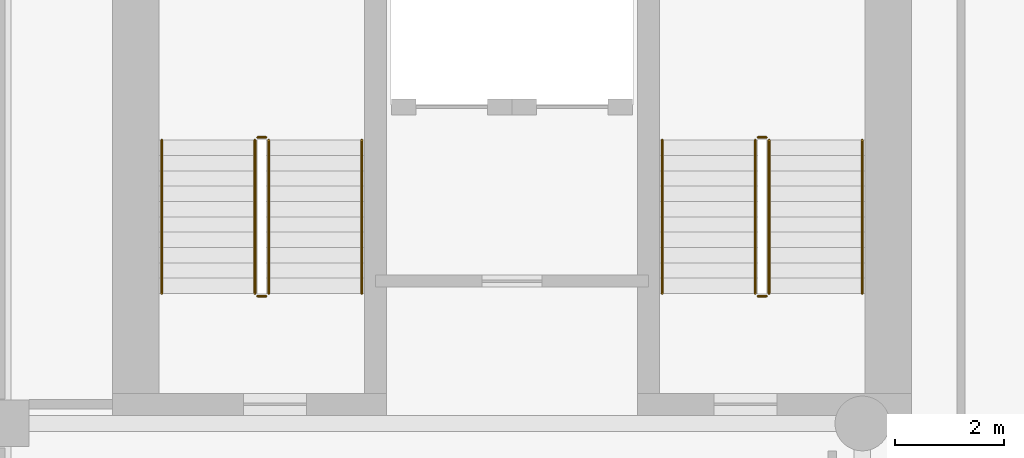
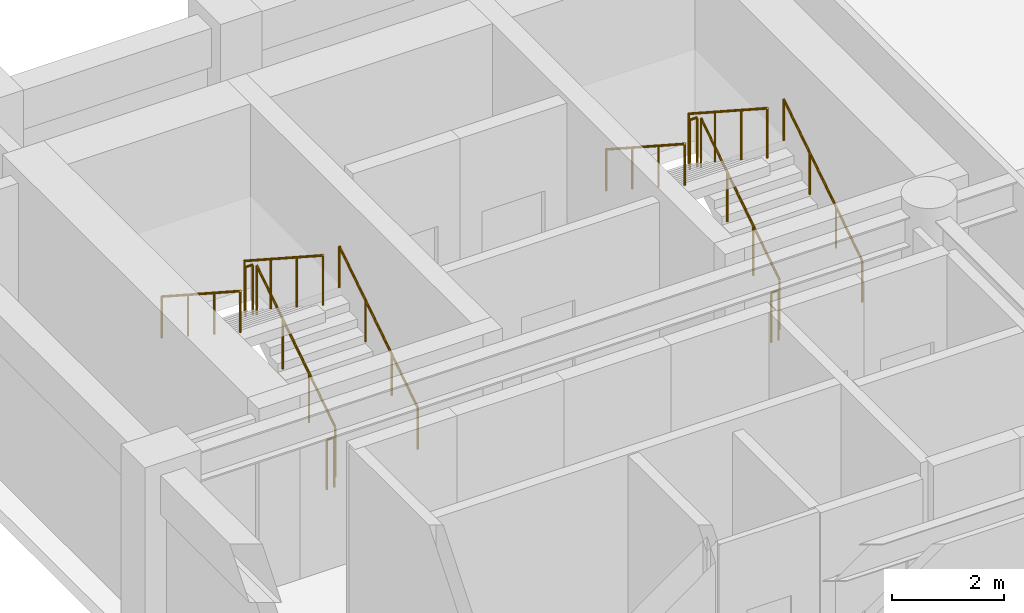
# One storey, part 7 of 8: 12 railings.
"""IFC4 building model written with IfcOpenShell, lengths in metres."""

from ifc_helpers import new_model, si_unit, direction, frame, origin, origin_2d, place, context, subcontext, project, spatial, circle, extrude, material, type_object, element, save


model = new_model("IFC4")

# Units and contexts
model_context = context("Model", 3, precision=1e-05, world=origin(), true_north=direction((0.0, 1.0)))
body_context = subcontext(model_context, "Body", "Model", "MODEL_VIEW")
ifc_project = project(units=[si_unit("LENGTHUNIT", "METRE"), si_unit("AREAUNIT", "SQUARE_METRE"), si_unit("VOLUMEUNIT", "CUBIC_METRE"), si_unit("PLANEANGLEUNIT", "RADIAN"), si_unit("MASSUNIT", "GRAM", prefix="KILO")], contexts=[model_context])

# Site, building, storey
site_placement = place(None, origin())
site = spatial("IfcSite", under=ifc_project, at=site_placement, CompositionType="ELEMENT")
building_placement = place(site_placement, origin())
building = spatial("IfcBuilding", under=site, at=building_placement, Name="Sulina Concourse Tower", CompositionType="ELEMENT")
storey_placement = place(building_placement, frame((0.0, 0.0, 104.60009765625)))
storey = spatial("IfcBuildingStorey", under=building, at=storey_placement, Name="L25", CompositionType="ELEMENT", Elevation=104.60009765625)

# Railings
ifc_material_1 = material(Name="Galvanised steel railing", Category="steel")
railing_type_1 = type_object("IfcRailingType", Name="Core Stair Steel Guardrail 1150mm", PredefinedType="GUARDRAIL", material=ifc_material_1)
railing_1_placement = place(storey_placement, frame((5.554931640625, 36.375, 0.181640625)))
element("IfcRailing", 1, at=railing_1_placement, inside=storey, type_object=railing_type_1, Name="L25 ST-1 stair guard 1", PredefinedType="GUARDRAIL", context=body_context, shape_type="SweptSolid", body=[
    extrude(circle(Radius=0.02392578125, at=origin_2d()), frame((0.0, 0.0, 1.076171875), z_axis=(0.0, 0.838672427954, 0.544636170843), x_axis=(-1.0, 0.0, 0.0)), (0.0, 0.0, 1.0), 3.338623046875),
    extrude(circle(Radius=0.02099609375, at=origin_2d()), origin(), (0.0, 0.0, 1.0), 1.052001953125),
    extrude(circle(Radius=0.02099609375, at=origin_2d()), frame((0.0, 0.933349609375, 0.606201171875)), (0.0, 0.0, 1.0), 1.052001953125),
    extrude(circle(Radius=0.02099609375, at=origin_2d()), frame((0.0, 1.86669921875, 1.212158203125)), (0.0, 0.0, 1.0), 1.052001953125),
    extrude(circle(Radius=0.02099609375, at=origin_2d()), frame((0.0, 2.800048828125, 1.818359375)), (0.0, 0.0, 1.0), 1.052001953125),
])
railing_2_placement = place(storey_placement, frame((5.5048828125, 39.22509765625, 2.0)))
element("IfcRailing", 2, at=railing_2_placement, inside=storey, type_object=railing_type_1, Name="L25 ST-1 stair guard 2", PredefinedType="GUARDRAIL", context=body_context, shape_type="SweptSolid", body=[
    extrude(circle(Radius=0.02392578125, at=origin_2d()), frame((0.0, 0.0, 1.076171875), z_axis=(-1.0, 0.0, 0.0), x_axis=(0.0, -1.0, 0.0)), (0.0, 0.0, 1.0), 0.14990234375),
    extrude(circle(Radius=0.02099609375, at=origin_2d()), origin(), (0.0, 0.0, 1.0), 1.052001953125),
    extrude(circle(Radius=0.02099609375, at=origin_2d()), frame((-0.14990234375, 0.0, 0.0)), (0.0, 0.0, 1.0), 1.052001953125),
])
railing_3_placement = place(storey_placement, frame((5.304931640625, 39.175048828125, 2.181640625)))
element("IfcRailing", 3, at=railing_3_placement, inside=storey, type_object=railing_type_1, Name="L25 ST-1 stair guard 3", PredefinedType="GUARDRAIL", context=body_context, shape_type="SweptSolid", body=[
    extrude(circle(Radius=0.02392578125, at=origin_2d()), frame((0.0, 0.0, 1.076171875), z_axis=(0.0, -0.838672427954, 0.544636170843), x_axis=(1.0, 0.0, 0.0)), (0.0, 0.0, 1.0), 3.338623046875),
    extrude(circle(Radius=0.02099609375, at=origin_2d()), origin(), (0.0, 0.0, 1.0), 1.052001953125),
    extrude(circle(Radius=0.02099609375, at=origin_2d()), frame((0.0, -0.933349609375, 0.606201171875)), (0.0, 0.0, 1.0), 1.052001953125),
    extrude(circle(Radius=0.02099609375, at=origin_2d()), frame((0.0, -1.86669921875, 1.212158203125)), (0.0, 0.0, 1.0), 1.052001953125),
    extrude(circle(Radius=0.02099609375, at=origin_2d()), frame((0.0, -2.800048828125, 1.818359375)), (0.0, 0.0, 1.0), 1.052001953125),
])
railing_4_placement = place(storey_placement, frame((5.5048828125, 36.324951171875, 0.0)))
element("IfcRailing", 4, at=railing_4_placement, inside=storey, type_object=railing_type_1, Name="L25 ST-1 stair guard 4", PredefinedType="GUARDRAIL", context=body_context, shape_type="SweptSolid", body=[
    extrude(circle(Radius=0.02392578125, at=origin_2d()), frame((0.0, 0.0, 1.076171875), z_axis=(-1.0, 0.0, 0.0), x_axis=(0.0, -1.0, 0.0)), (0.0, 0.0, 1.0), 0.14990234375),
    extrude(circle(Radius=0.02099609375, at=origin_2d()), origin(), (0.0, 0.0, 1.0), 1.052001953125),
    extrude(circle(Radius=0.02099609375, at=origin_2d()), frame((-0.14990234375, 0.0, 0.0)), (0.0, 0.0, 1.0), 1.052001953125),
])
railing_5_placement = place(storey_placement, frame((14.695068359375, 36.375, 0.181640625)))
element("IfcRailing", 5, at=railing_5_placement, inside=storey, type_object=railing_type_1, Name="L25 ST-2 stair guard 1", PredefinedType="GUARDRAIL", context=body_context, shape_type="SweptSolid", body=[
    extrude(circle(Radius=0.02392578125, at=origin_2d()), frame((0.0, 0.0, 1.076171875), z_axis=(0.0, 0.838672427954, 0.544636170843), x_axis=(-1.0, 0.0, 0.0)), (0.0, 0.0, 1.0), 3.338623046875),
    extrude(circle(Radius=0.02099609375, at=origin_2d()), origin(), (0.0, 0.0, 1.0), 1.052001953125),
    extrude(circle(Radius=0.02099609375, at=origin_2d()), frame((0.0, 0.933349609375, 0.606201171875)), (0.0, 0.0, 1.0), 1.052001953125),
    extrude(circle(Radius=0.02099609375, at=origin_2d()), frame((0.0, 1.86669921875, 1.212158203125)), (0.0, 0.0, 1.0), 1.052001953125),
    extrude(circle(Radius=0.02099609375, at=origin_2d()), frame((0.0, 2.800048828125, 1.818359375)), (0.0, 0.0, 1.0), 1.052001953125),
])
railing_6_placement = place(storey_placement, frame((14.64501953125, 39.22509765625, 2.0)))
element("IfcRailing", 6, at=railing_6_placement, inside=storey, type_object=railing_type_1, Name="L25 ST-2 stair guard 2", PredefinedType="GUARDRAIL", context=body_context, shape_type="SweptSolid", body=[
    extrude(circle(Radius=0.02392578125, at=origin_2d()), frame((0.0, 0.0, 1.076171875), z_axis=(-1.0, 0.0, 0.0), x_axis=(0.0, -1.0, 0.0)), (0.0, 0.0, 1.0), 0.14990234375),
    extrude(circle(Radius=0.02099609375, at=origin_2d()), origin(), (0.0, 0.0, 1.0), 1.052001953125),
    extrude(circle(Radius=0.02099609375, at=origin_2d()), frame((-0.14990234375, 0.0, 0.0)), (0.0, 0.0, 1.0), 1.052001953125),
])
railing_7_placement = place(storey_placement, frame((14.445068359375, 39.175048828125, 2.181640625)))
element("IfcRailing", 7, at=railing_7_placement, inside=storey, type_object=railing_type_1, Name="L25 ST-2 stair guard 3", PredefinedType="GUARDRAIL", context=body_context, shape_type="SweptSolid", body=[
    extrude(circle(Radius=0.02392578125, at=origin_2d()), frame((0.0, 0.0, 1.076171875), z_axis=(0.0, -0.838672427954, 0.544636170843), x_axis=(1.0, 0.0, 0.0)), (0.0, 0.0, 1.0), 3.338623046875),
    extrude(circle(Radius=0.02099609375, at=origin_2d()), origin(), (0.0, 0.0, 1.0), 1.052001953125),
    extrude(circle(Radius=0.02099609375, at=origin_2d()), frame((0.0, -0.933349609375, 0.606201171875)), (0.0, 0.0, 1.0), 1.052001953125),
    extrude(circle(Radius=0.02099609375, at=origin_2d()), frame((0.0, -1.86669921875, 1.212158203125)), (0.0, 0.0, 1.0), 1.052001953125),
    extrude(circle(Radius=0.02099609375, at=origin_2d()), frame((0.0, -2.800048828125, 1.818359375)), (0.0, 0.0, 1.0), 1.052001953125),
])
railing_8_placement = place(storey_placement, frame((14.64501953125, 36.324951171875, 0.0)))
element("IfcRailing", 8, at=railing_8_placement, inside=storey, type_object=railing_type_1, Name="L25 ST-2 stair guard 4", PredefinedType="GUARDRAIL", context=body_context, shape_type="SweptSolid", body=[
    extrude(circle(Radius=0.02392578125, at=origin_2d()), frame((0.0, 0.0, 1.076171875), z_axis=(-1.0, 0.0, 0.0), x_axis=(0.0, -1.0, 0.0)), (0.0, 0.0, 1.0), 0.14990234375),
    extrude(circle(Radius=0.02099609375, at=origin_2d()), origin(), (0.0, 0.0, 1.0), 1.052001953125),
    extrude(circle(Radius=0.02099609375, at=origin_2d()), frame((-0.14990234375, 0.0, 0.0)), (0.0, 0.0, 1.0), 1.052001953125),
])
ifc_material_2 = material(Name="Galvanised steel railing", Category="steel")
railing_type_2 = type_object("IfcRailingType", Name="Stair Wall Steel Handrail 920mm", PredefinedType="HANDRAIL", material=ifc_material_2)
railing_9_placement = place(storey_placement, frame((7.2548828125, 36.375, 0.181640625)))
element("IfcRailing", 9, at=railing_9_placement, inside=storey, type_object=railing_type_2, Name="L25 ST-1 stair handrail 1", PredefinedType="HANDRAIL", context=body_context, shape_type="SweptSolid", body=[
    extrude(circle(Radius=0.02392578125, at=origin_2d()), frame((0.0, 0.0, 0.89599609375), z_axis=(0.0, 0.838672427954, 0.544636170843), x_axis=(-1.0, 0.0, 0.0)), (0.0, 0.0, 1.0), 3.338623046875),
    extrude(circle(Radius=0.02099609375, at=origin_2d()), origin(), (0.0, 0.0, 1.0), 0.871826171875),
    extrude(circle(Radius=0.02099609375, at=origin_2d()), frame((0.0, 0.933349609375, 0.606201171875)), (0.0, 0.0, 1.0), 0.871826171875),
    extrude(circle(Radius=0.02099609375, at=origin_2d()), frame((0.0, 1.86669921875, 1.212158203125)), (0.0, 0.0, 1.0), 0.871826171875),
    extrude(circle(Radius=0.02099609375, at=origin_2d()), frame((0.0, 2.800048828125, 1.818359375)), (0.0, 0.0, 1.0), 0.871826171875),
])
railing_10_placement = place(storey_placement, frame((3.60498046875, 39.175048828125, 2.181640625)))
element("IfcRailing", 10, at=railing_10_placement, inside=storey, type_object=railing_type_2, Name="L25 ST-1 stair handrail 2", PredefinedType="HANDRAIL", context=body_context, shape_type="SweptSolid", body=[
    extrude(circle(Radius=0.02392578125, at=origin_2d()), frame((0.0, 0.0, 0.89599609375), z_axis=(0.0, -0.838672427954, 0.544636170843), x_axis=(1.0, 0.0, 0.0)), (0.0, 0.0, 1.0), 3.338623046875),
    extrude(circle(Radius=0.02099609375, at=origin_2d()), origin(), (0.0, 0.0, 1.0), 0.871826171875),
    extrude(circle(Radius=0.02099609375, at=origin_2d()), frame((0.0, -0.933349609375, 0.606201171875)), (0.0, 0.0, 1.0), 0.871826171875),
    extrude(circle(Radius=0.02099609375, at=origin_2d()), frame((0.0, -1.86669921875, 1.212158203125)), (0.0, 0.0, 1.0), 0.871826171875),
    extrude(circle(Radius=0.02099609375, at=origin_2d()), frame((0.0, -2.800048828125, 1.818359375)), (0.0, 0.0, 1.0), 0.871826171875),
])
railing_11_placement = place(storey_placement, frame((16.39501953125, 36.375, 0.181640625)))
element("IfcRailing", 11, at=railing_11_placement, inside=storey, type_object=railing_type_2, Name="L25 ST-2 stair handrail 1", PredefinedType="HANDRAIL", context=body_context, shape_type="SweptSolid", body=[
    extrude(circle(Radius=0.02392578125, at=origin_2d()), frame((0.0, 0.0, 0.89599609375), z_axis=(0.0, 0.838672427954, 0.544636170843), x_axis=(-1.0, 0.0, 0.0)), (0.0, 0.0, 1.0), 3.338623046875),
    extrude(circle(Radius=0.02099609375, at=origin_2d()), origin(), (0.0, 0.0, 1.0), 0.871826171875),
    extrude(circle(Radius=0.02099609375, at=origin_2d()), frame((0.0, 0.933349609375, 0.606201171875)), (0.0, 0.0, 1.0), 0.871826171875),
    extrude(circle(Radius=0.02099609375, at=origin_2d()), frame((0.0, 1.86669921875, 1.212158203125)), (0.0, 0.0, 1.0), 0.871826171875),
    extrude(circle(Radius=0.02099609375, at=origin_2d()), frame((0.0, 2.800048828125, 1.818359375)), (0.0, 0.0, 1.0), 0.871826171875),
])
railing_12_placement = place(storey_placement, frame((12.7451171875, 39.175048828125, 2.181640625)))
element("IfcRailing", 12, at=railing_12_placement, inside=storey, type_object=railing_type_2, Name="L25 ST-2 stair handrail 2", PredefinedType="HANDRAIL", context=body_context, shape_type="SweptSolid", body=[
    extrude(circle(Radius=0.02392578125, at=origin_2d()), frame((0.0, 0.0, 0.89599609375), z_axis=(0.0, -0.838672427954, 0.544636170843), x_axis=(1.0, 0.0, 0.0)), (0.0, 0.0, 1.0), 3.338623046875),
    extrude(circle(Radius=0.02099609375, at=origin_2d()), origin(), (0.0, 0.0, 1.0), 0.871826171875),
    extrude(circle(Radius=0.02099609375, at=origin_2d()), frame((0.0, -0.933349609375, 0.606201171875)), (0.0, 0.0, 1.0), 0.871826171875),
    extrude(circle(Radius=0.02099609375, at=origin_2d()), frame((0.0, -1.86669921875, 1.212158203125)), (0.0, 0.0, 1.0), 0.871826171875),
    extrude(circle(Radius=0.02099609375, at=origin_2d()), frame((0.0, -2.800048828125, 1.818359375)), (0.0, 0.0, 1.0), 0.871826171875),
])

save(model, "model.ifc")
